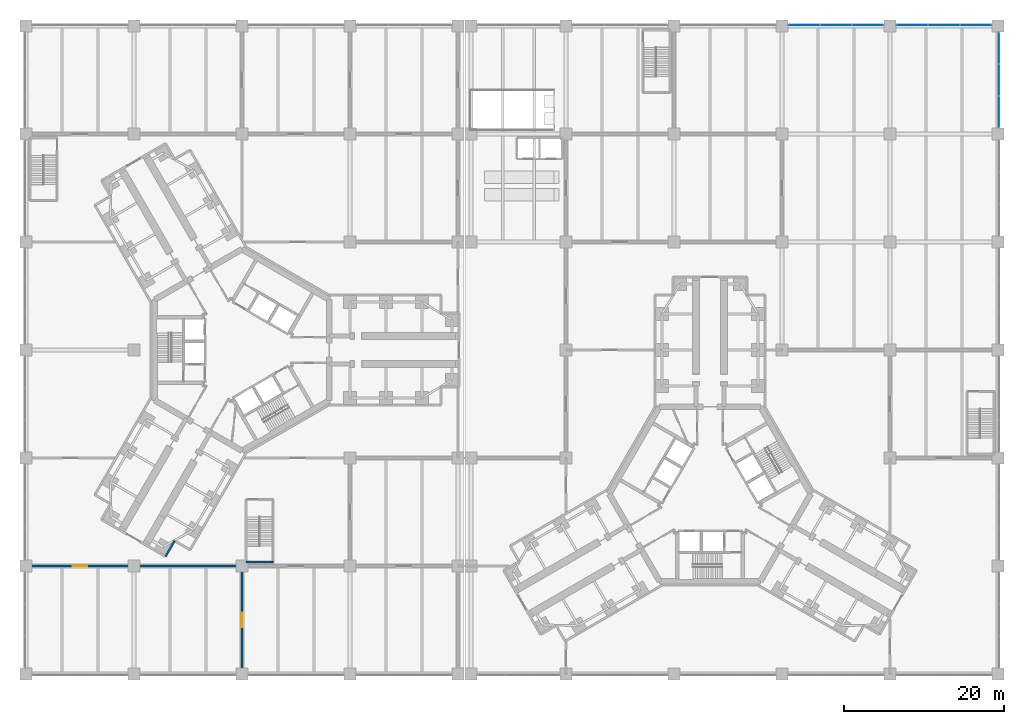
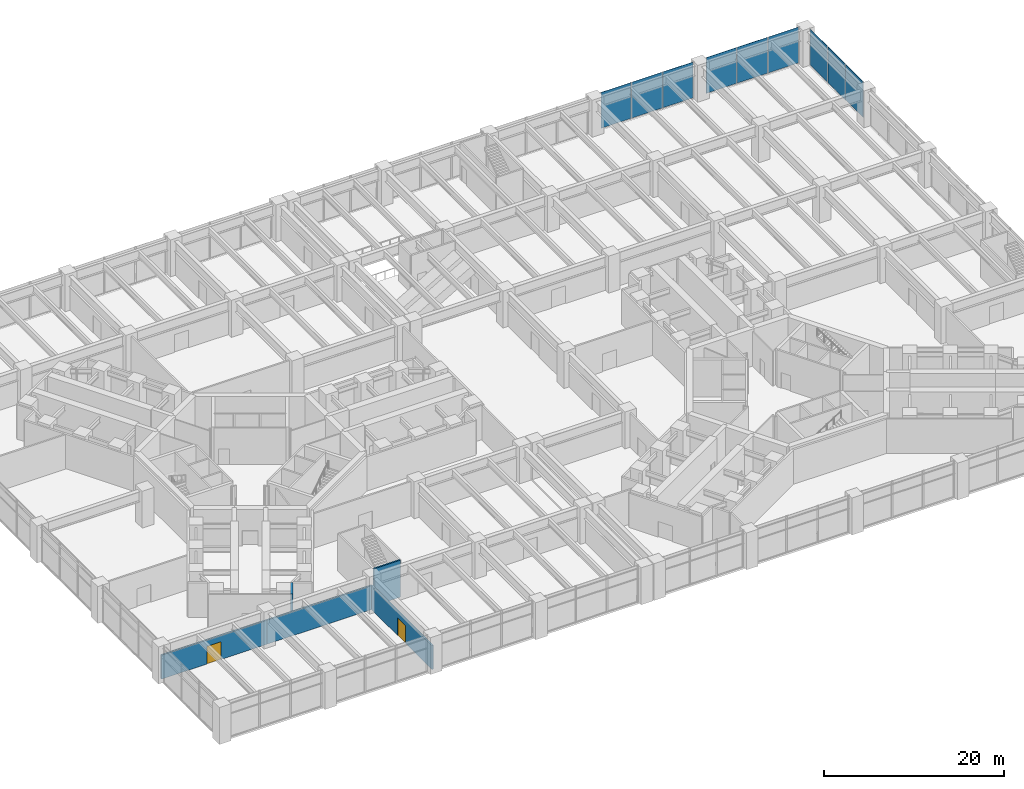
# One storey, part 20 of 32: 9 plates, 5 walls, 2 doors, 2 openings, 3 elements without a shape of their own.
"""IFC4 building model written with IfcOpenShell, lengths in metres."""

from ifc_helpers import new_model, si_unit, direction, frame, frame_2d, origin, origin_2d, place, context, subcontext, project, spatial, rectangle, extrude, material, layer, layer_set, type_object, element, fill, aggregate, save


model = new_model("IFC4")

# Units and contexts
model_context = context("Model", 3, precision=1e-05, world=origin(), true_north=direction((0.0, 1.0)))
body_context = subcontext(model_context, "Body", "Model", "MODEL_VIEW")
ifc_project = project(units=[si_unit("LENGTHUNIT", "METRE"), si_unit("AREAUNIT", "SQUARE_METRE"), si_unit("VOLUMEUNIT", "CUBIC_METRE"), si_unit("PLANEANGLEUNIT", "RADIAN"), si_unit("MASSUNIT", "GRAM", prefix="KILO")], contexts=[model_context])

# Site, building, storey
site_placement = place(None, origin())
site = spatial("IfcSite", under=ifc_project, at=site_placement, CompositionType="ELEMENT")
building_placement = place(site_placement, origin())
building = spatial("IfcBuilding", under=site, at=building_placement, Name="Upepo Twin Towers", CompositionType="ELEMENT")
storey_placement = place(building_placement, frame((0.0, 0.0, 10.5)))
storey = spatial("IfcBuildingStorey", under=building, at=storey_placement, Name="L02", CompositionType="ELEMENT", Elevation=10.5)

# Curtain wall, plates
ifc_material_1 = material(Name="Aluminium and clear glass", Category="aluminium")
curtain_wall_type = type_object("IfcCurtainWallType", Name="Podium curtain wall PW1", PredefinedType="NOTDEFINED", material=ifc_material_1)
curtain_wall_1_placement = place(storey_placement, origin())
curtain_wall_1 = element("IfcCurtainWall", 1, at=curtain_wall_1_placement, inside=storey, type_object=curtain_wall_type, Name="Podium L02 curtain wall E6", PredefinedType="NOTDEFINED")
ifc_material_2 = material(Name="Ceramic-fritted laminated glass", Category="glass")
ifc_layer_1 = layer(ifc_material_2, 0.031982421875)
ifc_layer_set_1 = layer_set([ifc_layer_1], Name="Fritted glass panel, 32 mm double glazed")
plate_type_1 = type_object("IfcPlateType", Name="Fritted glass panel, 32 mm double glazed", PredefinedType="CURTAIN_PANEL", material=ifc_layer_set_1)
plate_1_placement = place(storey_placement, frame((94.60009765625, 29.78955078125, 0.14990234375), z_axis=(0.0, 0.0, 1.0), x_axis=(0.0, 1.0, 0.0)))
plate_1 = element("IfcPlate", 2, at=plate_1_placement, type_object=plate_type_1, Name="Podium L02 curtain wall E6 panel 1", PredefinedType="CURTAIN_PANEL", context=body_context, shape_type="SweptSolid", body=[
    extrude(rectangle(XDim=3.879150390625, YDim=0.031982421875, at=origin_2d()), origin(), (0.0, 0.0, 1.0), 4.85009765625),
])
plate_2_placement = place(storey_placement, frame((94.60009765625, 37.71044921875, 0.14990234375), z_axis=(0.0, 0.0, 1.0), x_axis=(0.0, 1.0, 0.0)))
plate_2 = element("IfcPlate", 3, at=plate_2_placement, type_object=plate_type_1, Name="Podium L02 curtain wall E6 panel 3", PredefinedType="CURTAIN_PANEL", context=body_context, shape_type="SweptSolid", body=[
    extrude(rectangle(XDim=3.879150390625, YDim=0.031982421875, at=origin_2d()), origin(), (0.0, 0.0, 1.0), 4.85009765625),
])

curtain_wall_2_placement = place(storey_placement, origin())
curtain_wall_2 = element("IfcCurtainWall", 4, at=curtain_wall_2_placement, inside=storey, type_object=curtain_wall_type, Name="Podium L02 curtain wall N1", PredefinedType="NOTDEFINED")
plate_3_placement = place(storey_placement, frame((91.71044921875, 40.60009765625, 0.14990234375), z_axis=(0.0, 0.0, 1.0), x_axis=(-1.0, 0.0, 0.0)))
plate_3 = element("IfcPlate", 5, at=plate_3_placement, type_object=plate_type_1, Name="Podium L02 curtain wall N1 panel 1", PredefinedType="CURTAIN_PANEL", context=body_context, shape_type="SweptSolid", body=[
    extrude(rectangle(XDim=3.879150390625, YDim=0.031982421875, at=origin_2d()), origin(), (0.0, 0.0, 1.0), 4.85009765625),
])
plate_4_placement = place(storey_placement, frame((83.78955078125, 40.60009765625, 0.14990234375), z_axis=(0.0, 0.0, 1.0), x_axis=(-1.0, 0.0, 0.0)))
plate_4 = element("IfcPlate", 6, at=plate_4_placement, type_object=plate_type_1, Name="Podium L02 curtain wall N1 panel 3", PredefinedType="CURTAIN_PANEL", context=body_context, shape_type="SweptSolid", body=[
    extrude(rectangle(XDim=3.879150390625, YDim=0.031982421875, at=origin_2d()), origin(), (0.0, 0.0, 1.0), 4.85009765625),
])

curtain_wall_3_placement = place(storey_placement, origin())
curtain_wall_3 = element("IfcCurtainWall", 7, at=curtain_wall_3_placement, inside=storey, type_object=curtain_wall_type, Name="Podium L02 curtain wall N2", PredefinedType="NOTDEFINED")
plate_5_placement = place(storey_placement, frame((78.21044921875, 40.60009765625, 0.14990234375), z_axis=(0.0, 0.0, 1.0), x_axis=(-1.0, 0.0, 0.0)))
plate_5 = element("IfcPlate", 8, at=plate_5_placement, type_object=plate_type_1, Name="Podium L02 curtain wall N2 panel 1", PredefinedType="CURTAIN_PANEL", context=body_context, shape_type="SweptSolid", body=[
    extrude(rectangle(XDim=3.879150390625, YDim=0.031982421875, at=origin_2d()), origin(), (0.0, 0.0, 1.0), 4.85009765625),
])
plate_6_placement = place(storey_placement, frame((70.28955078125, 40.60009765625, 0.14990234375), z_axis=(0.0, 0.0, 1.0), x_axis=(-1.0, 0.0, 0.0)))
plate_6 = element("IfcPlate", 9, at=plate_6_placement, type_object=plate_type_1, Name="Podium L02 curtain wall N2 panel 3", PredefinedType="CURTAIN_PANEL", context=body_context, shape_type="SweptSolid", body=[
    extrude(rectangle(XDim=3.879150390625, YDim=0.031982421875, at=origin_2d()), origin(), (0.0, 0.0, 1.0), 4.85009765625),
])

# Plate
ifc_material_3 = material(Name="Clear laminated glass in opening sash", Category="glass")
ifc_layer_2 = layer(ifc_material_3, 0.031982421875)
ifc_layer_set_2 = layer_set([ifc_layer_2], Name="Operable glass panel, 32 mm double glazed")
plate_type_2 = type_object("IfcPlateType", Name="Operable glass panel, 32 mm double glazed", PredefinedType="CURTAIN_PANEL", material=ifc_layer_set_2)
plate_7_placement = place(storey_placement, frame((94.60009765625, 33.75, 0.14990234375), z_axis=(0.0, 0.0, 1.0), x_axis=(0.0, 1.0, 0.0)))
plate_7 = element("IfcPlate", 10, at=plate_7_placement, type_object=plate_type_2, Name="Podium L02 curtain wall E6 panel 2", PredefinedType="CURTAIN_PANEL", context=body_context, shape_type="SweptSolid", body=[
    extrude(rectangle(XDim=3.91162109375, YDim=0.031982421875, at=origin_2d()), origin(), (0.0, 0.0, 1.0), 4.85009765625),
])

aggregate(curtain_wall_1, [plate_1, plate_7, plate_2])

plate_8_placement = place(storey_placement, frame((87.75, 40.60009765625, 0.14990234375), z_axis=(0.0, 0.0, 1.0), x_axis=(-1.0, 0.0, 0.0)))
plate_8 = element("IfcPlate", 11, at=plate_8_placement, type_object=plate_type_2, Name="Podium L02 curtain wall N1 panel 2", PredefinedType="CURTAIN_PANEL", context=body_context, shape_type="SweptSolid", body=[
    extrude(rectangle(XDim=3.91162109375, YDim=0.031982421875, at=origin_2d()), origin(), (0.0, 0.0, 1.0), 4.85009765625),
])

aggregate(curtain_wall_2, [plate_3, plate_8, plate_4])

plate_9_placement = place(storey_placement, frame((74.25, 40.60009765625, 0.14990234375), z_axis=(0.0, 0.0, 1.0), x_axis=(-1.0, 0.0, 0.0)))
plate_9 = element("IfcPlate", 12, at=plate_9_placement, type_object=plate_type_2, Name="Podium L02 curtain wall N2 panel 2", PredefinedType="CURTAIN_PANEL", context=body_context, shape_type="SweptSolid", body=[
    extrude(rectangle(XDim=3.91162109375, YDim=0.031982421875, at=origin_2d()), origin(), (0.0, 0.0, 1.0), 4.85009765625),
])

aggregate(curtain_wall_3, [plate_5, plate_9, plate_6])

# Wall, opening, door
ifc_material_4 = material(Name="Concrete blockwork", Category="masonry")
ifc_layer_3 = layer(ifc_material_4, 0.199951171875)
ifc_layer_set_3 = layer_set([ifc_layer_3], Name="Podium partition 200 blockwork")
wall_type_1 = type_object("IfcWallType", Name="Podium partition 200 blockwork", PredefinedType="PARTITIONING", material=ifc_layer_set_3)
wall_1_placement = place(storey_placement, frame((-27.0, -27.0, 0.0), z_axis=(0.0, 0.0, 1.0), x_axis=(1.0, 0.0, 0.0)))
wall_1 = element("IfcWall", 13, at=wall_1_placement, inside=storey, type_object=wall_type_1, Name="L02 podium wall Y01", PredefinedType="PARTITIONING", context=body_context, shape_type="SweptSolid", body=[
    extrude(rectangle(XDim=13.5, YDim=0.199951171875, at=frame_2d((6.75, 0.0))), origin(), (0.0, 0.0, 1.0), 3.25),
])
opening_1_placement = place(wall_1_placement, frame((5.85009765625, 0.0, 0.0)))
opening_1 = element("IfcOpeningElement", 14, at=opening_1_placement, cuts=wall_1, Name="Opening D10", PredefinedType="OPENING", context=body_context, shape_type="SweptSolid", body=[
    extrude(rectangle(XDim=1.800048828125, YDim=2.39990234375, at=frame_2d((0.89990234375, 1.199951171875))), frame((0.0, 0.10986328125, 0.0), z_axis=(0.0, -1.0, 0.0), x_axis=(1.0, 0.0, 0.0)), (0.0, 0.0, 1.0), 0.219970703125),
])
ifc_material_5 = material(Name="Timber doorset", Category="wood")
door_type = type_object("IfcDoorType", Name="Podium double door 1800", OperationType="DOUBLE_DOOR_DOUBLE_SWING", PredefinedType="DOOR", material=ifc_material_5)
door_1_placement = place(opening_1_placement, origin())
door_1 = element("IfcDoor", 15, at=door_1_placement, inside=storey, type_object=door_type, Name="L02 studio equipment store door", OperationType="DOUBLE_DOOR_DOUBLE_SWING", OverallHeight=2.39990234375, OverallWidth=1.800048828125, PredefinedType="DOOR", context=body_context, shape_type="SweptSolid", body=[
    extrude(rectangle(XDim=1.800048828125, YDim=2.39990234375, at=frame_2d((0.89990234375, 1.199951171875))), frame((0.0, 0.02490234375, 0.0), z_axis=(0.0, -1.0, 0.0), x_axis=(1.0, 0.0, 0.0)), (0.0, 0.0, 1.0), 0.050048828125),
])
fill(opening_1, door_1)

wall_2_placement = place(storey_placement, frame((0.0, -40.5, 0.0), z_axis=(0.0, 0.0, 1.0), x_axis=(0.0, 1.0, 0.0)))
wall_2 = element("IfcWall", 16, at=wall_2_placement, inside=storey, type_object=wall_type_1, Name="L02 podium wall X20", PredefinedType="PARTITIONING", context=body_context, shape_type="SweptSolid", body=[
    extrude(rectangle(XDim=13.5, YDim=0.199951171875, at=frame_2d((6.75, 0.0))), origin(), (0.0, 0.0, 1.0), 3.25),
])
opening_2_placement = place(wall_2_placement, frame((5.85009765625, 0.0, 0.0)))
opening_2 = element("IfcOpeningElement", 17, at=opening_2_placement, cuts=wall_2, Name="Opening D10", PredefinedType="OPENING", context=body_context, shape_type="SweptSolid", body=[
    extrude(rectangle(XDim=1.800048828125, YDim=2.39990234375, at=frame_2d((0.89990234375, 1.199951171875))), frame((0.0, 0.10986328125, 0.0), z_axis=(0.0, -1.0, 0.0), x_axis=(1.0, 0.0, 0.0)), (0.0, 0.0, 1.0), 0.219970703125),
])
door_2_placement = place(opening_2_placement, origin())
door_2 = element("IfcDoor", 18, at=door_2_placement, inside=storey, type_object=door_type, Name="L02 studio equipment store-staff offices 2.04 door", OperationType="DOUBLE_DOOR_DOUBLE_SWING", OverallHeight=2.39990234375, OverallWidth=1.800048828125, PredefinedType="DOOR", context=body_context, shape_type="SweptSolid", body=[
    extrude(rectangle(XDim=1.800048828125, YDim=2.39990234375, at=frame_2d((0.89990234375, 1.199951171875))), frame((0.0, 0.02490234375, 0.0), z_axis=(0.0, -1.0, 0.0), x_axis=(1.0, 0.0, 0.0)), (0.0, 0.0, 1.0), 0.050048828125),
])
fill(opening_2, door_2)

# Walls
wall_3_placement = place(storey_placement, frame((-13.5, -27.0, 0.0), z_axis=(0.0, 0.0, 1.0), x_axis=(1.0, 0.0, 0.0)))
element("IfcWall", 19, at=wall_3_placement, inside=storey, type_object=wall_type_1, Name="L02 podium wall Y11", PredefinedType="PARTITIONING", context=body_context, shape_type="SweptSolid", body=[
    extrude(rectangle(XDim=13.5, YDim=0.199951171875, at=frame_2d((6.75, 0.0))), origin(), (0.0, 0.0, 1.0), 3.25),
])
ifc_material_6 = material(Name="Concrete C40/50", Category="concrete")
ifc_layer_4 = layer(ifc_material_6, 0.199951171875)
ifc_layer_set_4 = layer_set([ifc_layer_4], Name="Concrete C40/50")
wall_type_2 = type_object("IfcWallType", Name="Podium stair enclosure 200 RC", PredefinedType="SHEAR", material=ifc_layer_set_4)
wall_4_placement = place(storey_placement, frame((0.5, -26.5, 0.0), z_axis=(0.0, 0.0, 1.0), x_axis=(1.0, 0.0, 0.0)))
element("IfcWall", 20, at=wall_4_placement, inside=storey, type_object=wall_type_2, Name="PS3 L02 enclosure wall 1", PredefinedType="SHEAR", context=body_context, shape_type="SweptSolid", body=[
    extrude(rectangle(XDim=3.39990234375, YDim=0.199951171875, at=frame_2d((1.699951171875, 0.0))), origin(), (0.0, 0.0, 1.0), 5.0),
])
ifc_material_7 = material(Name="Concrete blockwork", Category="masonry")
ifc_layer_5 = layer(ifc_material_7, 0.25)
ifc_layer_set_5 = layer_set([ifc_layer_5], Name="Tower enclosure wall 250 blockwork")
wall_type_3 = type_object("IfcWallType", Name="Tower enclosure wall 250 blockwork", PredefinedType="STANDARD", material=ifc_layer_set_5)
wall_5_placement = place(storey_placement, frame((-8.43212890625, -23.85498046875, 0.0), z_axis=(0.0, 0.0, 1.0), x_axis=(-0.500013631625, -0.866017533419, 0.0)))
element("IfcWall", 21, at=wall_5_placement, inside=storey, type_object=wall_type_3, Name="T1 L02 enclosure wall 1", PredefinedType="STANDARD", context=body_context, shape_type="SweptSolid", body=[
    extrude(rectangle(XDim=2.25, YDim=0.25, at=frame_2d((1.125, 0.0))), origin(), (0.0, 0.0, 1.0), 4.64990234375),
])

save(model, "model.ifc")
